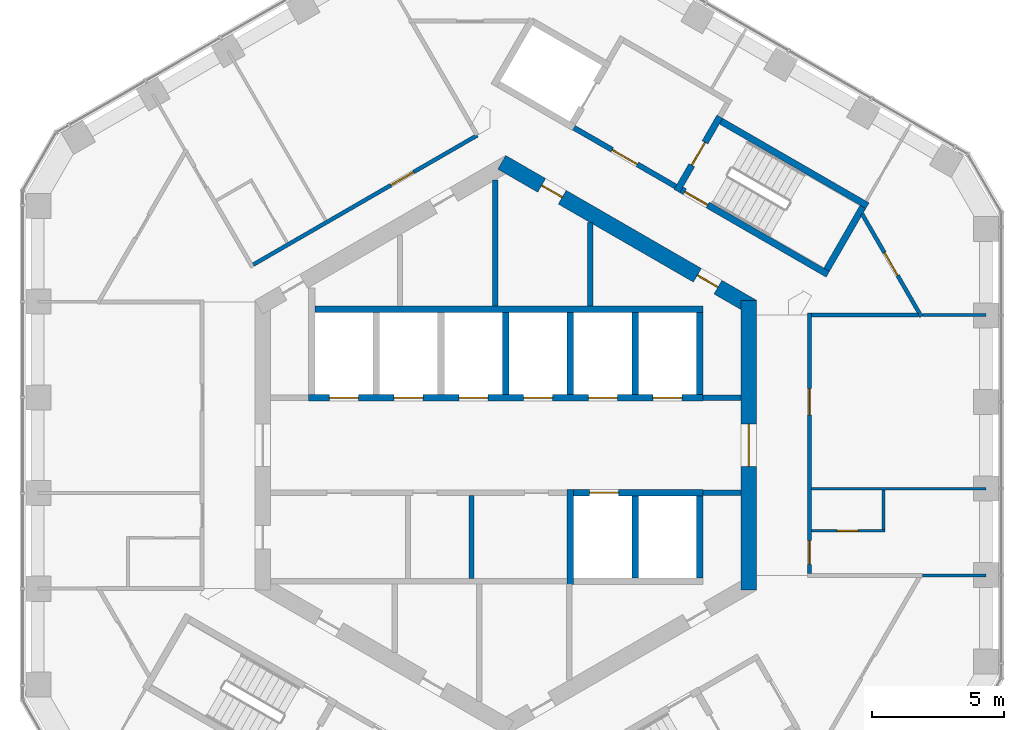
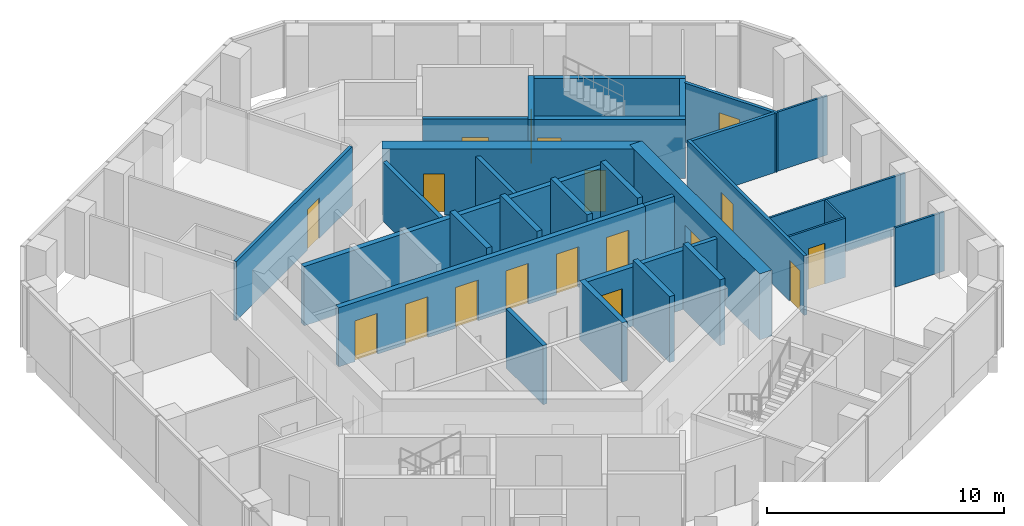
# One storey, part 15 of 18: 31 walls, 18 doors, 18 openings.
"""IFC4 building model written with IfcOpenShell, lengths in metres."""

from ifc_helpers import new_model, si_unit, direction, frame, frame_2d, origin, place, context, subcontext, project, spatial, rectangle, extrude, material, layer, layer_set, type_object, element, fill, save


model = new_model("IFC4")

# Units and contexts
model_context = context("Model", 3, precision=1e-05, world=origin(), true_north=direction((0.0, 1.0)))
body_context = subcontext(model_context, "Body", "Model", "MODEL_VIEW")
ifc_project = project(units=[si_unit("LENGTHUNIT", "METRE"), si_unit("AREAUNIT", "SQUARE_METRE"), si_unit("VOLUMEUNIT", "CUBIC_METRE"), si_unit("PLANEANGLEUNIT", "RADIAN"), si_unit("MASSUNIT", "GRAM", prefix="KILO")], contexts=[model_context])

# Site, building, storey
site_placement = place(None, origin())
site = spatial("IfcSite", under=ifc_project, at=site_placement, CompositionType="ELEMENT")
building_placement = place(site_placement, origin())
building = spatial("IfcBuilding", under=site, at=building_placement, Name="Ayvan Gate Tower", CompositionType="ELEMENT")
storey_placement = place(building_placement, frame((0.0, 0.0, 179.89990234375)))
storey = spatial("IfcBuildingStorey", under=building, at=storey_placement, Name="L48", CompositionType="ELEMENT", Elevation=179.89990234375)

# Wall, opening, door
ifc_material_1 = material(Name="Concrete C60/75", Category="concrete")
ifc_layer_1 = layer(ifc_material_1, 0.60009765625)
ifc_layer_set_1 = layer_set([ifc_layer_1], Name="Concrete C60/75")
wall_type_1 = type_object("IfcWallType", Name="Core wall 600 C60/75", PredefinedType="SHEAR", material=ifc_layer_set_1)
wall_1_placement = place(storey_placement, frame((9.199951171875, -5.48486328125, 0.0), z_axis=(0.0, 0.0, 1.0), x_axis=(0.0, 1.0, 0.0)))
wall_1 = element("IfcWall", 1, at=wall_1_placement, inside=storey, type_object=wall_type_1, Name="CORE-L48-0", PredefinedType="SHEAR", context=body_context, shape_type="SweptSolid", body=[
    extrude(rectangle(XDim=10.9697265625, YDim=0.60009765625, at=frame_2d((5.48486328125, 0.0))), origin(), (0.0, 0.0, 1.0), 3.400146484375),
])
opening_1_placement = place(wall_1_placement, frame((4.684814453125, 0.0, 0.0)))
opening_1 = element("IfcOpeningElement", 2, at=opening_1_placement, cuts=wall_1, Name="Opening L48-D51", PredefinedType="OPENING", context=body_context, shape_type="SweptSolid", body=[
    extrude(rectangle(XDim=1.60009765625, YDim=2.10009765625, at=frame_2d((0.800048828125, 1.050048828125))), frame((0.0, 0.31005859375, 0.0), z_axis=(0.0, -1.0, 0.0), x_axis=(1.0, 0.0, 0.0)), (0.0, 0.0, 1.0), 0.6201171875),
])
ifc_material_2 = material(Name="Timber door leaf", Category="wood")
door_type_1 = type_object("IfcDoorType", Name="DT-1600", OperationType="NOTDEFINED", PredefinedType="DOOR", material=ifc_material_2)
door_1_placement = place(opening_1_placement, origin())
door_1 = element("IfcDoor", 3, at=door_1_placement, inside=storey, type_object=door_type_1, Name="CD-L48-51", OperationType="SINGLE_SWING_LEFT", OverallHeight=2.10009765625, OverallWidth=1.60009765625, PredefinedType="DOOR", context=body_context, shape_type="SweptSolid", body=[
    extrude(rectangle(XDim=1.60009765625, YDim=2.10009765625, at=frame_2d((0.800048828125, 1.050048828125))), frame((0.0, 0.02490234375, 0.0), z_axis=(0.0, -1.0, 0.0), x_axis=(1.0, 0.0, 0.0)), (0.0, 0.0, 1.0), 0.050048828125),
])
fill(opening_1, door_1)

# Wall, openings, doors
wall_2_placement = place(storey_placement, frame((9.35009765625, 5.22509765625, 0.0), z_axis=(0.0, 0.0, 1.0), x_axis=(-0.866023993627, 0.500002442456, 0.0)))
wall_2 = element("IfcWall", 4, at=wall_2_placement, inside=storey, type_object=wall_type_1, Name="CORE-L48-1", PredefinedType="SHEAR", context=body_context, shape_type="SweptSolid", body=[
    extrude(rectangle(XDim=10.9697265625, YDim=0.60009765625, at=frame_2d((5.48486328125, 0.0))), origin(), (0.0, 0.0, 1.0), 3.400146484375),
])
opening_2_placement = place(wall_2_placement, frame((8.3251953125, 0.0, 0.0)))
opening_2 = element("IfcOpeningElement", 5, at=opening_2_placement, cuts=wall_2, Name="Opening L48-D44", PredefinedType="OPENING", context=body_context, shape_type="SweptSolid", body=[
    extrude(rectangle(XDim=0.89990234375, YDim=2.10009765625, at=frame_2d((0.449951171875, 1.050048828125))), frame((0.0, 0.31005859375, 0.0), z_axis=(0.0, -1.0, 0.0), x_axis=(1.0, 0.0, 0.0)), (0.0, 0.0, 1.0), 0.6201171875),
])
opening_3_placement = place(wall_2_placement, frame((1.518310546875, 0.0, 0.0)))
opening_3 = element("IfcOpeningElement", 6, at=opening_3_placement, cuts=wall_2, Name="Opening L48-D45", PredefinedType="OPENING", context=body_context, shape_type="SweptSolid", body=[
    extrude(rectangle(XDim=0.89990234375, YDim=2.10009765625, at=frame_2d((0.449951171875, 1.050048828125))), frame((0.0, 0.31005859375, 0.0), z_axis=(0.0, -1.0, 0.0), x_axis=(1.0, 0.0, 0.0)), (0.0, 0.0, 1.0), 0.6201171875),
])
door_type_2 = type_object("IfcDoorType", Name="DT-900", OperationType="NOTDEFINED", PredefinedType="DOOR", material=ifc_material_2)
door_2_placement = place(opening_2_placement, origin())
door_2 = element("IfcDoor", 7, at=door_2_placement, inside=storey, type_object=door_type_2, Name="CD-L48-44", OperationType="SINGLE_SWING_RIGHT", OverallHeight=2.10009765625, OverallWidth=0.89990234375, PredefinedType="DOOR", context=body_context, shape_type="SweptSolid", body=[
    extrude(rectangle(XDim=0.89990234375, YDim=2.10009765625, at=frame_2d((0.449951171875, 1.050048828125))), frame((0.0, 0.02490234375, 0.0), z_axis=(0.0, -1.0, 0.0), x_axis=(1.0, 0.0, 0.0)), (0.0, 0.0, 1.0), 0.050048828125),
])
fill(opening_2, door_2)
door_3_placement = place(opening_3_placement, origin())
door_3 = element("IfcDoor", 8, at=door_3_placement, inside=storey, type_object=door_type_2, Name="CD-L48-45", OperationType="SINGLE_SWING_LEFT", OverallHeight=2.10009765625, OverallWidth=0.89990234375, PredefinedType="DOOR", context=body_context, shape_type="SweptSolid", body=[
    extrude(rectangle(XDim=0.89990234375, YDim=2.10009765625, at=frame_2d((0.449951171875, 1.050048828125))), frame((0.0, 0.02490234375, 0.0), z_axis=(0.0, -1.0, 0.0), x_axis=(1.0, 0.0, 0.0)), (0.0, 0.0, 1.0), 0.050048828125),
])
fill(opening_3, door_3)

# Wall, opening, door
ifc_material_3 = material(Name="Plasterboard on steel stud", Category="steel")
ifc_layer_2 = layer(ifc_material_3, 0.14990234375)
ifc_layer_set_2 = layer_set([ifc_layer_2], Name="Plasterboard on steel stud")
wall_type_2 = type_object("IfcWallType", Name="WT-CORR-150", PredefinedType="PARTITIONING", material=ifc_layer_set_2)
wall_3_placement = place(storey_placement, frame((-9.55615234375, 6.838134765625, 0.0), z_axis=(0.0, 0.0, 1.0), x_axis=(0.866029004385, 0.499993763526, 0.0)))
wall_3 = element("IfcWall", 9, at=wall_3_placement, inside=storey, type_object=wall_type_2, Name="IW-L48-016", PredefinedType="PARTITIONING", context=body_context, shape_type="SweptSolid", body=[
    extrude(rectangle(XDim=9.788818359375, YDim=0.14990234375, at=frame_2d((4.89453125, 0.0))), origin(), (0.0, 0.0, 1.0), 3.050048828125),
])
opening_4_placement = place(wall_3_placement, frame((6.015869140625, 0.0, 0.0)))
opening_4 = element("IfcOpeningElement", 10, at=opening_4_placement, cuts=wall_3, Name="Opening L48-D39", PredefinedType="OPENING", context=body_context, shape_type="SweptSolid", body=[
    extrude(rectangle(XDim=1.0, YDim=2.10009765625, at=frame_2d((0.5, 1.050048828125))), frame((0.0, 0.0849609375, 0.0), z_axis=(0.0, -1.0, 0.0), x_axis=(1.0, 0.0, 0.0)), (0.0, 0.0, 1.0), 0.169921875),
])
door_type_3 = type_object("IfcDoorType", Name="DT-1000", OperationType="NOTDEFINED", PredefinedType="DOOR", material=ifc_material_2)
door_4_placement = place(opening_4_placement, origin())
door_4 = element("IfcDoor", 11, at=door_4_placement, inside=storey, type_object=door_type_3, Name="ID-L48-039", OperationType="SINGLE_SWING_LEFT", OverallHeight=2.10009765625, OverallWidth=1.0, PredefinedType="DOOR", context=body_context, shape_type="SweptSolid", body=[
    extrude(rectangle(XDim=1.0, YDim=2.10009765625, at=frame_2d((0.5, 1.050048828125))), frame((0.0, 0.02490234375, 0.0), z_axis=(0.0, -1.0, 0.0), x_axis=(1.0, 0.0, 0.0)), (0.0, 0.0, 1.0), 0.050048828125),
])
fill(opening_4, door_4)

# Wall, openings, doors
wall_4_placement = place(storey_placement, frame((11.5, -4.856689453125, 0.0), z_axis=(0.0, 0.0, 1.0), x_axis=(0.0, 1.0, 0.0)))
wall_4 = element("IfcWall", 12, at=wall_4_placement, inside=storey, type_object=wall_type_2, Name="IW-L48-089", PredefinedType="PARTITIONING", context=body_context, shape_type="SweptSolid", body=[
    extrude(rectangle(XDim=9.863525390625, YDim=0.14990234375, at=frame_2d((4.931640625, 0.0))), origin(), (0.0, 0.0, 1.0), 3.050048828125),
])
opening_5_placement = place(wall_4_placement, frame((0.34130859375, 0.0, 0.0)))
opening_5 = element("IfcOpeningElement", 13, at=opening_5_placement, cuts=wall_4, Name="Opening L48-D22", PredefinedType="OPENING", context=body_context, shape_type="SweptSolid", body=[
    extrude(rectangle(XDim=0.89990234375, YDim=2.10009765625, at=frame_2d((0.449951171875, 1.050048828125))), frame((0.0, 0.0849609375, 0.0), z_axis=(0.0, -1.0, 0.0), x_axis=(1.0, 0.0, 0.0)), (0.0, 0.0, 1.0), 0.169921875),
])
opening_6_placement = place(wall_4_placement, frame((6.000732421875, 0.0, 0.0)))
opening_6 = element("IfcOpeningElement", 14, at=opening_6_placement, cuts=wall_4, Name="Opening L48-D24", PredefinedType="OPENING", context=body_context, shape_type="SweptSolid", body=[
    extrude(rectangle(XDim=1.0, YDim=2.10009765625, at=frame_2d((0.5, 1.050048828125))), frame((0.0, 0.0849609375, 0.0), z_axis=(0.0, -1.0, 0.0), x_axis=(1.0, 0.0, 0.0)), (0.0, 0.0, 1.0), 0.169921875),
])
door_5_placement = place(opening_6_placement, origin())
door_5 = element("IfcDoor", 15, at=door_5_placement, inside=storey, type_object=door_type_3, Name="ID-L48-024", OperationType="SINGLE_SWING_RIGHT", OverallHeight=2.10009765625, OverallWidth=1.0, PredefinedType="DOOR", context=body_context, shape_type="SweptSolid", body=[
    extrude(rectangle(XDim=1.0, YDim=2.10009765625, at=frame_2d((0.5, 1.050048828125))), frame((0.0, 0.02490234375, 0.0), z_axis=(0.0, -1.0, 0.0), x_axis=(1.0, 0.0, 0.0)), (0.0, 0.0, 1.0), 0.050048828125),
])
fill(opening_6, door_5)
door_6_placement = place(opening_5_placement, origin())
door_6 = element("IfcDoor", 16, at=door_6_placement, inside=storey, type_object=door_type_2, Name="ID-L48-022", OperationType="SINGLE_SWING_RIGHT", OverallHeight=2.10009765625, OverallWidth=0.89990234375, PredefinedType="DOOR", context=body_context, shape_type="SweptSolid", body=[
    extrude(rectangle(XDim=0.89990234375, YDim=2.10009765625, at=frame_2d((0.449951171875, 1.050048828125))), frame((0.0, 0.02490234375, 0.0), z_axis=(0.0, -1.0, 0.0), x_axis=(1.0, 0.0, 0.0)), (0.0, 0.0, 1.0), 0.050048828125),
])
fill(opening_5, door_6)

# Wall, opening, door
wall_5_placement = place(storey_placement, frame((13.49267578125, 8.75341796875, 0.0), z_axis=(0.0, 0.0, 1.0), x_axis=(0.500047370938, -0.865998052433, 0.0)))
wall_5 = element("IfcWall", 17, at=wall_5_placement, inside=storey, type_object=wall_type_2, Name="IW-L48-094", PredefinedType="PARTITIONING", context=body_context, shape_type="SweptSolid", body=[
    extrude(rectangle(XDim=4.48779296875, YDim=0.14990234375, at=frame_2d((2.243896484375, 0.0))), origin(), (0.0, 0.0, 1.0), 3.050048828125),
])
opening_7_placement = place(wall_5_placement, frame((1.689208984375, 0.0, 0.0)))
opening_7 = element("IfcOpeningElement", 18, at=opening_7_placement, cuts=wall_5, Name="Opening L48-D25", PredefinedType="OPENING", context=body_context, shape_type="SweptSolid", body=[
    extrude(rectangle(XDim=1.0, YDim=2.10009765625, at=frame_2d((0.5, 1.050048828125))), frame((0.0, 0.0849609375, 0.0), z_axis=(0.0, -1.0, 0.0), x_axis=(1.0, 0.0, 0.0)), (0.0, 0.0, 1.0), 0.169921875),
])
door_7_placement = place(opening_7_placement, origin())
door_7 = element("IfcDoor", 19, at=door_7_placement, inside=storey, type_object=door_type_3, Name="ID-L48-025", OperationType="SINGLE_SWING_LEFT", OverallHeight=2.10009765625, OverallWidth=1.0, PredefinedType="DOOR", context=body_context, shape_type="SweptSolid", body=[
    extrude(rectangle(XDim=1.0, YDim=2.10009765625, at=frame_2d((0.5, 1.050048828125))), frame((0.0, 0.02490234375, 0.0), z_axis=(0.0, -1.0, 0.0), x_axis=(1.0, 0.0, 0.0)), (0.0, 0.0, 1.0), 0.050048828125),
])
fill(opening_7, door_7)

# Wall
wall_6_placement = place(storey_placement, frame((15.624267578125, 4.931884765625, 0.0), z_axis=(0.0, 0.0, 1.0), x_axis=(-1.0, 0.0, 0.0)))
element("IfcWall", 20, at=wall_6_placement, inside=storey, type_object=wall_type_2, Name="IW-L48-099", PredefinedType="PARTITIONING", context=body_context, shape_type="SweptSolid", body=[
    extrude(rectangle(XDim=4.04931640625, YDim=0.14990234375, at=frame_2d((2.024658203125, 0.0))), origin(), (0.0, 0.0, 1.0), 3.050048828125),
])

# Wall, opening, door
ifc_layer_3 = layer(ifc_material_3, 0.10009765625)
ifc_layer_set_3 = layer_set([ifc_layer_3], Name="Plasterboard on steel stud")
wall_type_3 = type_object("IfcWallType", Name="WT-PART-100", PredefinedType="PARTITIONING", material=ifc_layer_set_3)
wall_7_placement = place(storey_placement, frame((11.574951171875, -3.243896484375, 0.0), z_axis=(0.0, 0.0, 1.0), x_axis=(1.0, 0.0, 0.0)))
wall_7 = element("IfcWall", 21, at=wall_7_placement, inside=storey, type_object=wall_type_3, Name="IW-L48-088", PredefinedType="PARTITIONING", context=body_context, shape_type="SweptSolid", body=[
    extrude(rectangle(XDim=2.775146484375, YDim=0.10009765625, at=frame_2d((1.3876953125, 0.0))), origin(), (0.0, 0.0, 1.0), 3.050048828125),
])
opening_8_placement = place(wall_7_placement, frame((0.96240234375, 0.0, 0.0)))
opening_8 = element("IfcOpeningElement", 22, at=opening_8_placement, cuts=wall_7, Name="Opening L48-D23", PredefinedType="OPENING", context=body_context, shape_type="SweptSolid", body=[
    extrude(rectangle(XDim=0.800048828125, YDim=2.10009765625, at=frame_2d((0.39990234375, 1.050048828125))), frame((0.0, 0.06005859375, 0.0), z_axis=(0.0, -1.0, 0.0), x_axis=(1.0, 0.0, 0.0)), (0.0, 0.0, 1.0), 0.1201171875),
])
door_type_4 = type_object("IfcDoorType", Name="DT-800", OperationType="NOTDEFINED", PredefinedType="DOOR", material=ifc_material_2)
door_8_placement = place(opening_8_placement, origin())
door_8 = element("IfcDoor", 23, at=door_8_placement, inside=storey, type_object=door_type_4, Name="ID-L48-023", OperationType="SINGLE_SWING_LEFT", OverallHeight=2.10009765625, OverallWidth=0.800048828125, PredefinedType="DOOR", context=body_context, shape_type="SweptSolid", body=[
    extrude(rectangle(XDim=0.800048828125, YDim=2.10009765625, at=frame_2d((0.39990234375, 1.050048828125))), frame((0.0, 0.02490234375, 0.0), z_axis=(0.0, -1.0, 0.0), x_axis=(1.0, 0.0, 0.0)), (0.0, 0.0, 1.0), 0.050048828125),
])
fill(opening_8, door_8)

# Walls
wall_8_placement = place(storey_placement, frame((11.574951171875, -1.643798828125, 0.0), z_axis=(0.0, 0.0, 1.0), x_axis=(1.0, 0.0, 0.0)))
element("IfcWall", 24, at=wall_8_placement, inside=storey, type_object=wall_type_3, Name="IW-L48-090", PredefinedType="PARTITIONING", context=body_context, shape_type="SweptSolid", body=[
    extrude(rectangle(XDim=6.611572265625, YDim=0.10009765625, at=frame_2d((3.3056640625, 0.0))), origin(), (0.0, 0.0, 1.0), 3.050048828125),
])
wall_9_placement = place(storey_placement, frame((14.300048828125, -3.19384765625, 0.0), z_axis=(0.0, 0.0, 1.0), x_axis=(0.0, 1.0, 0.0)))
element("IfcWall", 25, at=wall_9_placement, inside=storey, type_object=wall_type_3, Name="IW-L48-097", PredefinedType="PARTITIONING", context=body_context, shape_type="SweptSolid", body=[
    extrude(rectangle(XDim=1.5, YDim=0.10009765625, at=frame_2d((0.75, 0.0))), origin(), (0.0, 0.0, 1.0), 3.050048828125),
])
for number, where, z_axis, x_axis, name in (
    (26, (15.77392578125, 4.931884765625, 0.0), (0.0, 0.0, 1.0), (1.0, 0.0, 0.0), "IW-L48-098"),
    (27, (18.1865234375, -4.931884765625, 0.0), (0.0, 0.0, 1.0), (-1.0, 0.0, 0.0), "IW-L48-101"),
):
    element("IfcWall", number, at=place(storey_placement, frame(where, z_axis=z_axis, x_axis=x_axis)), inside=storey, type_object=wall_type_3, Name=name, PredefinedType="PARTITIONING", context=body_context, shape_type="SweptSolid", body=[
        extrude(rectangle(XDim=2.41259765625, YDim=0.10009765625, at=frame_2d((1.206298828125, 0.0))), origin(), (0.0, 0.0, 1.0), 3.050048828125),
    ])
ifc_layer_4 = layer(ifc_material_3, 0.199951171875)
ifc_layer_set_4 = layer_set([ifc_layer_4], Name="Plasterboard on steel stud")
wall_type_4 = type_object("IfcWallType", Name="WT-RATED-200", PredefinedType="PARTITIONING", material=ifc_layer_set_4)
wall_10_placement = place(storey_placement, frame((-1.300048828125, -1.89990234375, 0.0), z_axis=(0.0, 0.0, 1.0), x_axis=(0.0, -1.0, 0.0)))
element("IfcWall", 28, at=wall_10_placement, inside=storey, type_object=wall_type_4, Name="IW-L48-046", PredefinedType="PARTITIONING", context=body_context, shape_type="SweptSolid", body=[
    extrude(rectangle(XDim=3.150146484375, YDim=0.199951171875, at=frame_2d((1.5751953125, 0.0))), origin(), (0.0, 0.0, 1.0), 3.050048828125),
])
wall_11_placement = place(storey_placement, frame((-0.39990234375, 10.0458984375, 0.0), z_axis=(0.0, 0.0, 1.0), x_axis=(0.0, -1.0, 0.0)))
element("IfcWall", 29, at=wall_11_placement, inside=storey, type_object=wall_type_4, Name="IW-L48-051", PredefinedType="PARTITIONING", context=body_context, shape_type="SweptSolid", body=[
    extrude(rectangle(XDim=4.77099609375, YDim=0.199951171875, at=frame_2d((2.385498046875, 0.0))), origin(), (0.0, 0.0, 1.0), 3.050048828125),
])
wall_12_placement = place(storey_placement, frame((3.199951171875, 8.42919921875, 0.0), z_axis=(0.0, 0.0, 1.0), x_axis=(0.0, -1.0, 0.0)))
element("IfcWall", 30, at=wall_12_placement, inside=storey, type_object=wall_type_4, Name="IW-L48-063", PredefinedType="PARTITIONING", context=body_context, shape_type="SweptSolid", body=[
    extrude(rectangle(XDim=3.154296875, YDim=0.199951171875, at=frame_2d((1.5771484375, 0.0))), origin(), (0.0, 0.0, 1.0), 3.050048828125),
])

# Wall, opening, door
wall_13_placement = place(storey_placement, frame((6.4345703125, 9.794921875, 0.0), z_axis=(0.0, 0.0, 1.0), x_axis=(-0.866012907634, 0.500021643343, 0.0)))
wall_13 = element("IfcWall", 31, at=wall_13_placement, inside=storey, type_object=wall_type_4, Name="IW-L48-072", PredefinedType="PARTITIONING", context=body_context, shape_type="SweptSolid", body=[
    extrude(rectangle(XDim=4.449951171875, YDim=0.199951171875, at=frame_2d((2.22509765625, 0.0))), origin(), (0.0, 0.0, 1.0), 3.050048828125),
])
opening_9_placement = place(wall_13_placement, frame((1.675048828125, 0.0, 0.0)))
opening_9 = element("IfcOpeningElement", 32, at=opening_9_placement, cuts=wall_13, Name="Opening L48-D13", PredefinedType="OPENING", context=body_context, shape_type="SweptSolid", body=[
    extrude(rectangle(XDim=1.10009765625, YDim=2.10009765625, at=frame_2d((0.550048828125, 1.050048828125))), frame((0.0, 0.10986328125, 0.0), z_axis=(0.0, -1.0, 0.0), x_axis=(1.0, 0.0, 0.0)), (0.0, 0.0, 1.0), 0.219970703125),
])
door_type_5 = type_object("IfcDoorType", Name="DT-1100", OperationType="NOTDEFINED", PredefinedType="DOOR", material=ifc_material_2)
door_9_placement = place(opening_9_placement, origin())
door_9 = element("IfcDoor", 33, at=door_9_placement, inside=storey, type_object=door_type_5, Name="ID-L48-013", OperationType="SINGLE_SWING_LEFT", OverallHeight=2.10009765625, OverallWidth=1.10009765625, PredefinedType="DOOR", context=body_context, shape_type="SweptSolid", body=[
    extrude(rectangle(XDim=1.10009765625, YDim=2.10009765625, at=frame_2d((0.550048828125, 1.050048828125))), frame((0.0, 0.02490234375, 0.0), z_axis=(0.0, -1.0, 0.0), x_axis=(1.0, 0.0, 0.0)), (0.0, 0.0, 1.0), 0.050048828125),
])
fill(opening_9, door_9)

# Walls
for number, where, z_axis, x_axis, name in (
    (34, (7.474853515625, 1.800048828125, 0.0), (0.0, 0.0, 1.0), (1.0, 0.0, 0.0), "IW-L48-078"),
    (35, (8.89990234375, -1.800048828125, 0.0), (0.0, 0.0, 1.0), (-1.0, 0.0, 0.0), "IW-L48-084"),
):
    element("IfcWall", number, at=place(storey_placement, frame(where, z_axis=z_axis, x_axis=x_axis)), inside=storey, type_object=wall_type_4, Name=name, PredefinedType="PARTITIONING", context=body_context, shape_type="SweptSolid", body=[
        extrude(rectangle(XDim=1.425048828125, YDim=0.199951171875, at=frame_2d((0.71240234375, 0.0))), origin(), (0.0, 0.0, 1.0), 3.050048828125),
    ])

# Wall, openings, doors
ifc_material_4 = material(Name="Concrete C50/60", Category="concrete")
ifc_layer_5 = layer(ifc_material_4, 0.25)
ifc_layer_set_5 = layer_set([ifc_layer_5], Name="Concrete C50/60")
wall_type_5 = type_object("IfcWallType", Name="WT-RC-250", PredefinedType="SHEAR", material=ifc_layer_set_5)
wall_14_placement = place(storey_placement, frame((-7.47509765625, 1.800048828125, 0.0), z_axis=(0.0, 0.0, 1.0), x_axis=(1.0, 0.0, 0.0)))
wall_14 = element("IfcWall", 36, at=wall_14_placement, inside=storey, type_object=wall_type_5, Name="IW-L48-025", PredefinedType="SHEAR", context=body_context, shape_type="SweptSolid", body=[
    extrude(rectangle(XDim=14.9501953125, YDim=0.25, at=frame_2d((7.47509765625, 0.0))), origin(), (0.0, 0.0, 1.0), 3.050048828125),
])
opening_10_placement = place(wall_14_placement, frame((0.800048828125, 0.0, 0.0)))
opening_10 = element("IfcOpeningElement", 37, at=opening_10_placement, cuts=wall_14, Name="Opening L48-LD-HR1", PredefinedType="OPENING", context=body_context, shape_type="SweptSolid", body=[
    extrude(rectangle(XDim=1.10009765625, YDim=2.10009765625, at=frame_2d((0.550048828125, 1.050048828125))), frame((0.0, 0.135009765625, 0.0), z_axis=(0.0, -1.0, 0.0), x_axis=(1.0, 0.0, 0.0)), (0.0, 0.0, 1.0), 0.27001953125),
])
opening_11_placement = place(wall_14_placement, frame((3.25, 0.0, 0.0)))
opening_11 = element("IfcOpeningElement", 38, at=opening_11_placement, cuts=wall_14, Name="Opening L48-LD-HR2", PredefinedType="OPENING", context=body_context, shape_type="SweptSolid", body=[
    extrude(rectangle(XDim=1.10009765625, YDim=2.10009765625, at=frame_2d((0.550048828125, 1.050048828125))), frame((0.0, 0.135009765625, 0.0), z_axis=(0.0, -1.0, 0.0), x_axis=(1.0, 0.0, 0.0)), (0.0, 0.0, 1.0), 0.27001953125),
])
opening_12_placement = place(wall_14_placement, frame((5.7001953125, 0.0, 0.0)))
opening_12 = element("IfcOpeningElement", 39, at=opening_12_placement, cuts=wall_14, Name="Opening L48-LD-HR3", PredefinedType="OPENING", context=body_context, shape_type="SweptSolid", body=[
    extrude(rectangle(XDim=1.10009765625, YDim=2.10009765625, at=frame_2d((0.550048828125, 1.050048828125))), frame((0.0, 0.135009765625, 0.0), z_axis=(0.0, -1.0, 0.0), x_axis=(1.0, 0.0, 0.0)), (0.0, 0.0, 1.0), 0.27001953125),
])
opening_13_placement = place(wall_14_placement, frame((8.150146484375, 0.0, 0.0)))
opening_13 = element("IfcOpeningElement", 40, at=opening_13_placement, cuts=wall_14, Name="Opening L48-LD-HR4", PredefinedType="OPENING", context=body_context, shape_type="SweptSolid", body=[
    extrude(rectangle(XDim=1.10009765625, YDim=2.10009765625, at=frame_2d((0.550048828125, 1.050048828125))), frame((0.0, 0.135009765625, 0.0), z_axis=(0.0, -1.0, 0.0), x_axis=(1.0, 0.0, 0.0)), (0.0, 0.0, 1.0), 0.27001953125),
])
opening_14_placement = place(wall_14_placement, frame((10.60009765625, 0.0, 0.0)))
opening_14 = element("IfcOpeningElement", 41, at=opening_14_placement, cuts=wall_14, Name="Opening L48-LD-HR5", PredefinedType="OPENING", context=body_context, shape_type="SweptSolid", body=[
    extrude(rectangle(XDim=1.10009765625, YDim=2.10009765625, at=frame_2d((0.550048828125, 1.050048828125))), frame((0.0, 0.135009765625, 0.0), z_axis=(0.0, -1.0, 0.0), x_axis=(1.0, 0.0, 0.0)), (0.0, 0.0, 1.0), 0.27001953125),
])
opening_15_placement = place(wall_14_placement, frame((13.050048828125, 0.0, 0.0)))
opening_15 = element("IfcOpeningElement", 42, at=opening_15_placement, cuts=wall_14, Name="Opening L48-LD-HR6", PredefinedType="OPENING", context=body_context, shape_type="SweptSolid", body=[
    extrude(rectangle(XDim=1.10009765625, YDim=2.10009765625, at=frame_2d((0.550048828125, 1.050048828125))), frame((0.0, 0.135009765625, 0.0), z_axis=(0.0, -1.0, 0.0), x_axis=(1.0, 0.0, 0.0)), (0.0, 0.0, 1.0), 0.27001953125),
])
ifc_material_5 = material(Name="Stainless steel landing door", Category="steel")
door_type_6 = type_object("IfcDoorType", Name="DT-LANDING-1100", OperationType="SLIDING_TO_LEFT", PredefinedType="DOOR", material=ifc_material_5)
door_10_placement = place(opening_10_placement, origin())
door_10 = element("IfcDoor", 43, at=door_10_placement, inside=storey, type_object=door_type_6, Name="ID-L48-001", OperationType="SLIDING_TO_LEFT", OverallHeight=2.10009765625, OverallWidth=1.10009765625, PredefinedType="DOOR", context=body_context, shape_type="SweptSolid", body=[
    extrude(rectangle(XDim=1.10009765625, YDim=2.10009765625, at=frame_2d((0.550048828125, 1.050048828125))), frame((0.0, 0.02490234375, 0.0), z_axis=(0.0, -1.0, 0.0), x_axis=(1.0, 0.0, 0.0)), (0.0, 0.0, 1.0), 0.050048828125),
])
fill(opening_10, door_10)
door_11_placement = place(opening_11_placement, origin())
door_11 = element("IfcDoor", 44, at=door_11_placement, inside=storey, type_object=door_type_6, Name="ID-L48-002", OperationType="SLIDING_TO_LEFT", OverallHeight=2.10009765625, OverallWidth=1.10009765625, PredefinedType="DOOR", context=body_context, shape_type="SweptSolid", body=[
    extrude(rectangle(XDim=1.10009765625, YDim=2.10009765625, at=frame_2d((0.550048828125, 1.050048828125))), frame((0.0, 0.02490234375, 0.0), z_axis=(0.0, -1.0, 0.0), x_axis=(1.0, 0.0, 0.0)), (0.0, 0.0, 1.0), 0.050048828125),
])
fill(opening_11, door_11)
door_12_placement = place(opening_12_placement, origin())
door_12 = element("IfcDoor", 45, at=door_12_placement, inside=storey, type_object=door_type_6, Name="ID-L48-003", OperationType="SLIDING_TO_LEFT", OverallHeight=2.10009765625, OverallWidth=1.10009765625, PredefinedType="DOOR", context=body_context, shape_type="SweptSolid", body=[
    extrude(rectangle(XDim=1.10009765625, YDim=2.10009765625, at=frame_2d((0.550048828125, 1.050048828125))), frame((0.0, 0.02490234375, 0.0), z_axis=(0.0, -1.0, 0.0), x_axis=(1.0, 0.0, 0.0)), (0.0, 0.0, 1.0), 0.050048828125),
])
fill(opening_12, door_12)
door_13_placement = place(opening_13_placement, origin())
door_13 = element("IfcDoor", 46, at=door_13_placement, inside=storey, type_object=door_type_6, Name="ID-L48-004", OperationType="SLIDING_TO_LEFT", OverallHeight=2.10009765625, OverallWidth=1.10009765625, PredefinedType="DOOR", context=body_context, shape_type="SweptSolid", body=[
    extrude(rectangle(XDim=1.10009765625, YDim=2.10009765625, at=frame_2d((0.550048828125, 1.050048828125))), frame((0.0, 0.02490234375, 0.0), z_axis=(0.0, -1.0, 0.0), x_axis=(1.0, 0.0, 0.0)), (0.0, 0.0, 1.0), 0.050048828125),
])
fill(opening_13, door_13)
door_14_placement = place(opening_14_placement, origin())
door_14 = element("IfcDoor", 47, at=door_14_placement, inside=storey, type_object=door_type_6, Name="ID-L48-005", OperationType="SLIDING_TO_LEFT", OverallHeight=2.10009765625, OverallWidth=1.10009765625, PredefinedType="DOOR", context=body_context, shape_type="SweptSolid", body=[
    extrude(rectangle(XDim=1.10009765625, YDim=2.10009765625, at=frame_2d((0.550048828125, 1.050048828125))), frame((0.0, 0.02490234375, 0.0), z_axis=(0.0, -1.0, 0.0), x_axis=(1.0, 0.0, 0.0)), (0.0, 0.0, 1.0), 0.050048828125),
])
fill(opening_14, door_14)
door_15_placement = place(opening_15_placement, origin())
door_15 = element("IfcDoor", 48, at=door_15_placement, inside=storey, type_object=door_type_6, Name="ID-L48-006", OperationType="SLIDING_TO_LEFT", OverallHeight=2.10009765625, OverallWidth=1.10009765625, PredefinedType="DOOR", context=body_context, shape_type="SweptSolid", body=[
    extrude(rectangle(XDim=1.10009765625, YDim=2.10009765625, at=frame_2d((0.550048828125, 1.050048828125))), frame((0.0, 0.02490234375, 0.0), z_axis=(0.0, -1.0, 0.0), x_axis=(1.0, 0.0, 0.0)), (0.0, 0.0, 1.0), 0.050048828125),
])
fill(opening_15, door_15)

# Walls
wall_15_placement = place(storey_placement, frame((-7.22509765625, 5.14990234375, 0.0), z_axis=(0.0, 0.0, 1.0), x_axis=(1.0, 0.0, 0.0)))
element("IfcWall", 49, at=wall_15_placement, inside=storey, type_object=wall_type_5, Name="IW-L48-027", PredefinedType="SHEAR", context=body_context, shape_type="SweptSolid", body=[
    extrude(rectangle(XDim=14.7001953125, YDim=0.25, at=frame_2d((7.35009765625, 0.0))), origin(), (0.0, 0.0, 1.0), 3.050048828125),
])
wall_16_placement = place(storey_placement, frame((0.0, 5.02490234375, 0.0), z_axis=(0.0, 0.0, 1.0), x_axis=(0.0, -1.0, 0.0)))
element("IfcWall", 50, at=wall_16_placement, inside=storey, type_object=wall_type_5, Name="IW-L48-053", PredefinedType="SHEAR", context=body_context, shape_type="SweptSolid", body=[
    extrude(rectangle(XDim=3.099853515625, YDim=0.25, at=frame_2d((1.5498046875, 0.0))), origin(), (0.0, 0.0, 1.0), 3.400146484375),
])
wall_17_placement = place(storey_placement, frame((2.449951171875, -5.27490234375, 0.0), z_axis=(0.0, 0.0, 1.0), x_axis=(0.0, 1.0, 0.0)))
element("IfcWall", 51, at=wall_17_placement, inside=storey, type_object=wall_type_5, Name="IW-L48-057", PredefinedType="SHEAR", context=body_context, shape_type="SweptSolid", body=[
    extrude(rectangle(XDim=3.599853515625, YDim=0.25, at=frame_2d((1.7998046875, 0.0))), origin(), (0.0, 0.0, 1.0), 3.050048828125),
])
for number, where, z_axis, x_axis, name in (
    (52, (2.449951171875, 5.02490234375, 0.0), (0.0, 0.0, 1.0), (0.0, -1.0, 0.0), "IW-L48-058"),
    (53, (4.89990234375, -1.925048828125, 0.0), (0.0, 0.0, 1.0), (0.0, -1.0, 0.0), "IW-L48-069"),
    (54, (4.89990234375, 5.02490234375, 0.0), (0.0, 0.0, 1.0), (0.0, -1.0, 0.0), "IW-L48-070"),
):
    element("IfcWall", number, at=place(storey_placement, frame(where, z_axis=z_axis, x_axis=x_axis)), inside=storey, type_object=wall_type_5, Name=name, PredefinedType="SHEAR", context=body_context, shape_type="SweptSolid", body=[
        extrude(rectangle(XDim=3.099853515625, YDim=0.25, at=frame_2d((1.5498046875, 0.0))), origin(), (0.0, 0.0, 1.0), 3.400146484375),
    ])

# Wall, opening, door
wall_18_placement = place(storey_placement, frame((2.574951171875, -1.800048828125, 0.0), z_axis=(0.0, 0.0, 1.0), x_axis=(1.0, 0.0, 0.0)))
wall_18 = element("IfcWall", 55, at=wall_18_placement, inside=storey, type_object=wall_type_5, Name="IW-L48-071", PredefinedType="SHEAR", context=body_context, shape_type="SweptSolid", body=[
    extrude(rectangle(XDim=4.900146484375, YDim=0.25, at=frame_2d((2.4501953125, 0.0))), origin(), (0.0, 0.0, 1.0), 3.050048828125),
])
opening_16_placement = place(wall_18_placement, frame((0.597412109375, 0.0, 0.0)))
opening_16 = element("IfcOpeningElement", 56, at=opening_16_placement, cuts=wall_18, Name="Opening L48-LD-SV", PredefinedType="OPENING", context=body_context, shape_type="SweptSolid", body=[
    extrude(rectangle(XDim=1.10009765625, YDim=2.10009765625, at=frame_2d((0.550048828125, 1.050048828125))), frame((0.0, 0.135009765625, 0.0), z_axis=(0.0, -1.0, 0.0), x_axis=(1.0, 0.0, 0.0)), (0.0, 0.0, 1.0), 0.27001953125),
])
door_16_placement = place(opening_16_placement, origin())
door_16 = element("IfcDoor", 57, at=door_16_placement, inside=storey, type_object=door_type_6, Name="ID-L48-007", OperationType="SLIDING_TO_LEFT", OverallHeight=2.10009765625, OverallWidth=1.10009765625, PredefinedType="DOOR", context=body_context, shape_type="SweptSolid", body=[
    extrude(rectangle(XDim=1.10009765625, YDim=2.10009765625, at=frame_2d((0.550048828125, 1.050048828125))), frame((0.0, 0.02490234375, 0.0), z_axis=(0.0, -1.0, 0.0), x_axis=(1.0, 0.0, 0.0)), (0.0, 0.0, 1.0), 0.050048828125),
])
fill(opening_16, door_16)

wall_19_placement = place(storey_placement, frame((6.480224609375, 9.624267578125, 0.0), z_axis=(0.0, 0.0, 1.0), x_axis=(0.500017246033, 0.866015446554, 0.0)))
wall_19 = element("IfcWall", 58, at=wall_19_placement, inside=storey, type_object=wall_type_5, Name="IW-L48-073", PredefinedType="SHEAR", context=body_context, shape_type="SweptSolid", body=[
    extrude(rectangle(XDim=3.25, YDim=0.25, at=frame_2d((1.625, 0.0))), origin(), (0.0, 0.0, 1.0), 3.050048828125),
])
opening_17_placement = place(wall_19_placement, frame((1.125, 0.0, 0.0)))
opening_17 = element("IfcOpeningElement", 59, at=opening_17_placement, cuts=wall_19, Name="Opening L48-D12", PredefinedType="OPENING", context=body_context, shape_type="SweptSolid", body=[
    extrude(rectangle(XDim=1.0, YDim=2.10009765625, at=frame_2d((0.5, 1.050048828125))), frame((0.0, 0.135009765625, 0.0), z_axis=(0.0, -1.0, 0.0), x_axis=(1.0, 0.0, 0.0)), (0.0, 0.0, 1.0), 0.27001953125),
])
door_17_placement = place(opening_17_placement, origin())
door_17 = element("IfcDoor", 60, at=door_17_placement, inside=storey, type_object=door_type_3, Name="ID-L48-012", OperationType="SINGLE_SWING_RIGHT", OverallHeight=2.10009765625, OverallWidth=1.0, PredefinedType="DOOR", context=body_context, shape_type="SweptSolid", body=[
    extrude(rectangle(XDim=1.0, YDim=2.10009765625, at=frame_2d((0.5, 1.050048828125))), frame((0.0, 0.02490234375, 0.0), z_axis=(0.0, -1.0, 0.0), x_axis=(1.0, 0.0, 0.0)), (0.0, 0.0, 1.0), 0.050048828125),
])
fill(opening_17, door_17)

# Walls
for number, where, z_axis, x_axis, name in (
    (61, (7.35009765625, -1.925048828125, 0.0), (0.0, 0.0, 1.0), (0.0, -1.0, 0.0), "IW-L48-079"),
    (62, (7.35009765625, 5.02490234375, 0.0), (0.0, 0.0, 1.0), (0.0, -1.0, 0.0), "IW-L48-080"),
):
    element("IfcWall", number, at=place(storey_placement, frame(where, z_axis=z_axis, x_axis=x_axis)), inside=storey, type_object=wall_type_5, Name=name, PredefinedType="SHEAR", context=body_context, shape_type="SweptSolid", body=[
        extrude(rectangle(XDim=3.099853515625, YDim=0.25, at=frame_2d((1.5498046875, 0.0))), origin(), (0.0, 0.0, 1.0), 3.400146484375),
    ])
wall_20_placement = place(storey_placement, frame((8.151123046875, 12.26806640625, 0.0), z_axis=(0.0, 0.0, 1.0), x_axis=(0.866025499775, -0.499999833739, 0.0)))
element("IfcWall", 63, at=wall_20_placement, inside=storey, type_object=wall_type_5, Name="IW-L48-082", PredefinedType="SHEAR", context=body_context, shape_type="SweptSolid", body=[
    extrude(rectangle(XDim=6.39990234375, YDim=0.25, at=frame_2d((3.199951171875, 0.0))), origin(), (0.0, 0.0, 1.0), 3.050048828125),
])

# Wall, opening, door
wall_21_placement = place(storey_placement, frame((12.193603515625, 6.469970703125, 0.0), z_axis=(0.0, 0.0, 1.0), x_axis=(-0.866025499775, 0.499999833739, 0.0)))
wall_21 = element("IfcWall", 64, at=wall_21_placement, inside=storey, type_object=wall_type_5, Name="IW-L48-092", PredefinedType="SHEAR", context=body_context, shape_type="SweptSolid", body=[
    extrude(rectangle(XDim=6.39990234375, YDim=0.25, at=frame_2d((3.199951171875, 0.0))), origin(), (0.0, 0.0, 1.0), 3.050048828125),
])
opening_18_placement = place(wall_21_placement, frame((5.25, 0.0, 0.0)))
opening_18 = element("IfcOpeningElement", 65, at=opening_18_placement, cuts=wall_21, Name="Opening L48-D11", PredefinedType="OPENING", context=body_context, shape_type="SweptSolid", body=[
    extrude(rectangle(XDim=1.0, YDim=2.10009765625, at=frame_2d((0.5, 1.050048828125))), frame((0.0, 0.135009765625, 0.0), z_axis=(0.0, -1.0, 0.0), x_axis=(1.0, 0.0, 0.0)), (0.0, 0.0, 1.0), 0.27001953125),
])
door_18_placement = place(opening_18_placement, origin())
door_18 = element("IfcDoor", 66, at=door_18_placement, inside=storey, type_object=door_type_3, Name="ID-L48-011", OperationType="SINGLE_SWING_LEFT", OverallHeight=2.10009765625, OverallWidth=1.0, PredefinedType="DOOR", context=body_context, shape_type="SweptSolid", body=[
    extrude(rectangle(XDim=1.0, YDim=2.10009765625, at=frame_2d((0.5, 1.050048828125))), frame((0.0, 0.02490234375, 0.0), z_axis=(0.0, -1.0, 0.0), x_axis=(1.0, 0.0, 0.0)), (0.0, 0.0, 1.0), 0.050048828125),
])
fill(opening_18, door_18)

# Wall
wall_22_placement = place(storey_placement, frame((12.14794921875, 6.640869140625, 0.0), z_axis=(0.0, 0.0, 1.0), x_axis=(0.500034990121, 0.866005201286, 0.0)))
element("IfcWall", 67, at=wall_22_placement, inside=storey, type_object=wall_type_5, Name="IW-L48-095", PredefinedType="SHEAR", context=body_context, shape_type="SweptSolid", body=[
    extrude(rectangle(XDim=2.749755859375, YDim=0.25, at=frame_2d((1.375, 0.0))), origin(), (0.0, 0.0, 1.0), 3.050048828125),
])

save(model, "model.ifc")
